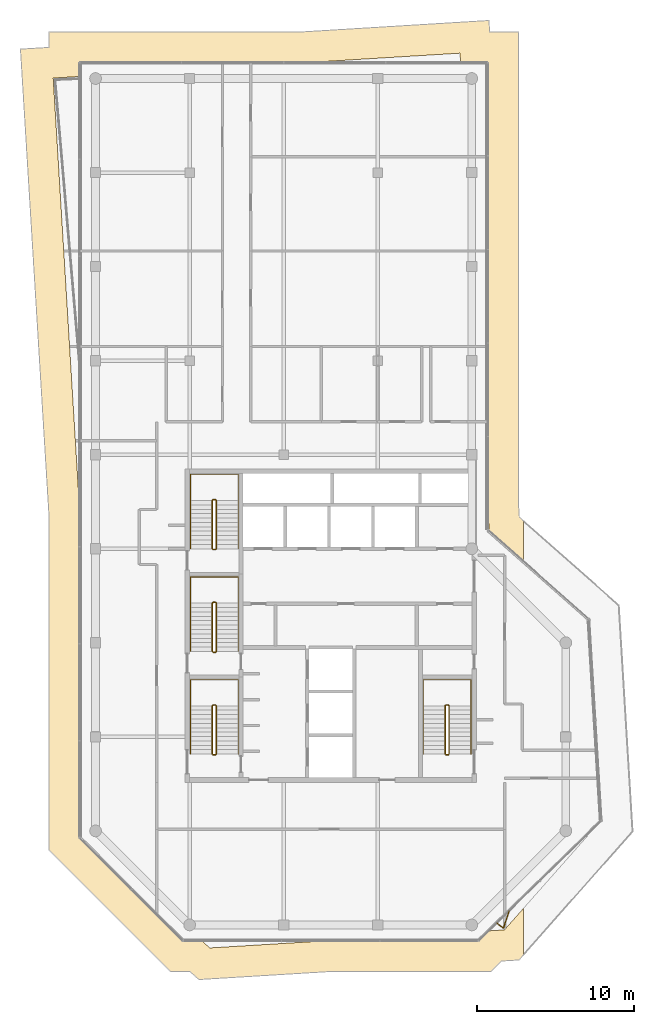
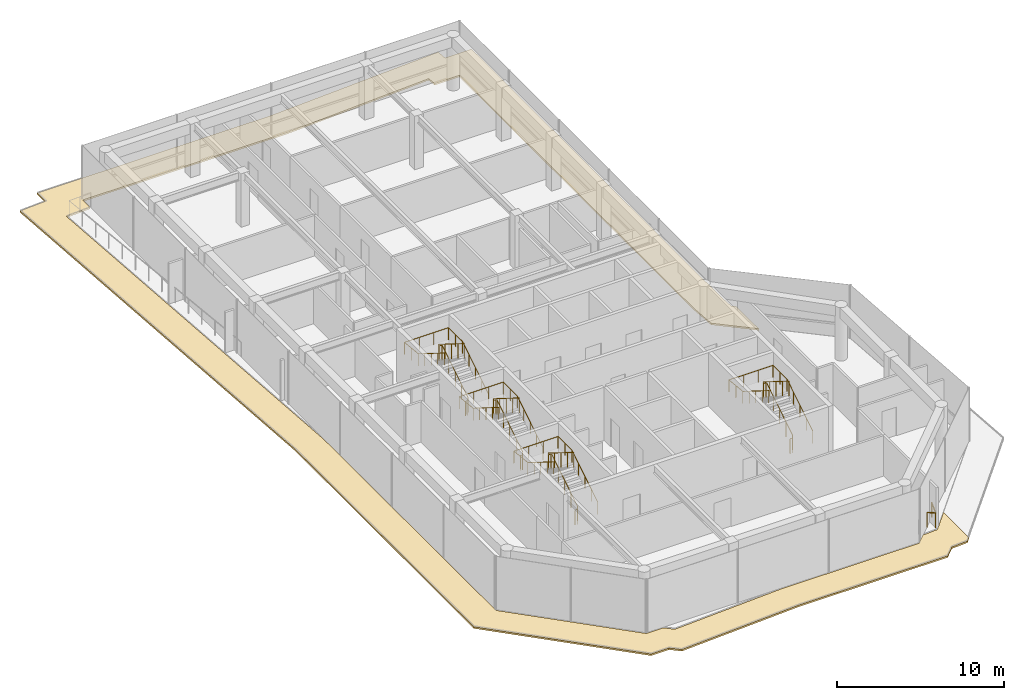
# One storey, part 21 of 22: 9 railings, 1 covering.
"""IFC4 building model written with IfcOpenShell, lengths in metres."""

from ifc_helpers import new_model, si_unit, direction, frame, origin, origin_2d, place, context, subcontext, project, spatial, polyline, circle, outline, extrude, material, layer, layer_set, type_object, element, save


model = new_model("IFC4")

# Units and contexts
model_context = context("Model", 3, precision=1e-05, world=origin(), true_north=direction((0.0, 1.0)))
body_context = subcontext(model_context, "Body", "Model", "MODEL_VIEW")
ifc_project = project(units=[si_unit("LENGTHUNIT", "METRE"), si_unit("AREAUNIT", "SQUARE_METRE"), si_unit("VOLUMEUNIT", "CUBIC_METRE"), si_unit("PLANEANGLEUNIT", "RADIAN"), si_unit("MASSUNIT", "GRAM", prefix="KILO")], contexts=[model_context])

# Site, building, storey
site_placement = place(None, origin())
site = spatial("IfcSite", under=ifc_project, at=site_placement, CompositionType="ELEMENT")
building_placement = place(site_placement, origin())
building = spatial("IfcBuilding", under=site, at=building_placement, Name="Welwitschia Terrace Campus", CompositionType="ELEMENT")
storey_placement = place(building_placement, frame((0.0, 0.0, 318.800048828125)))
storey = spatial("IfcBuildingStorey", under=building, at=storey_placement, Name="L71", CompositionType="ELEMENT", Elevation=318.800048828125)

# Railings
ifc_material_1 = material(Name="Stainless steel grade 316", Category="steel")
railing_type_1 = type_object("IfcRailingType", Name="Guard 1100", PredefinedType="GUARDRAIL", material=ifc_material_1)
railing_1_placement = place(storey_placement, frame((26.377197265625, -3.123779296875, 0.0)))
element("IfcRailing", 1, at=railing_1_placement, inside=storey, type_object=railing_type_1, Name="Guard floor edge L71.1", PredefinedType="GUARDRAIL", context=body_context, shape_type="SweptSolid", body=[
    extrude(circle(Radius=0.02392578125, at=origin_2d()), frame((0.0, 0.0, 1.076171875), z_axis=(-0.311566627196, -0.950224308686, 0.0), x_axis=(0.950224308686, -0.311566627196, 0.0)), (0.0, 0.0, 1.0), 1.13232421875),
    extrude(circle(Radius=0.02392578125, at=origin_2d()), frame((-0.352783203125, -1.075927734375, 1.076171875), z_axis=(-0.804128254295, 0.59445584415, 0.0), x_axis=(-0.59445584415, -0.804128254295, 0.0)), (0.0, 0.0, 1.0), 0.52978515625),
    extrude(circle(Radius=0.02099609375, at=origin_2d()), origin(), (0.0, 0.0, 1.0), 1.052001953125),
    extrude(circle(Radius=0.02099609375, at=origin_2d()), frame((-0.352783203125, -1.075927734375, 0.0)), (0.0, 0.0, 1.0), 1.052001953125),
    extrude(circle(Radius=0.02099609375, at=origin_2d()), frame((-0.77880859375, -0.760986328125, 0.0)), (0.0, 0.0, 1.0), 1.052001953125),
])
ifc_material_2 = material(Name="Steel S355", Category="steel")
railing_type_2 = type_object("IfcRailingType", Name="Stair guard 1100", PredefinedType="GUARDRAIL", material=ifc_material_2)
railing_2_placement = place(storey_placement, frame((7.5, 6.85009765625, 0.0)))
element("IfcRailing", 2, at=railing_2_placement, inside=storey, type_object=railing_type_2, Name="L71 S1 stair guard", PredefinedType="GUARDRAIL", context=body_context, shape_type="SweptSolid", body=[
    extrude(circle(Radius=0.02392578125, at=origin_2d()), frame((0.0, 0.0, 1.076171875), z_axis=(1.0, 0.0, 0.0), x_axis=(0.0, 1.0, 0.0)), (0.0, 0.0, 1.0), 0.14990234375),
    extrude(circle(Radius=0.02392578125, at=origin_2d()), frame((0.14990234375, 0.0, 1.076171875), z_axis=(0.265155923931, 0.263862480399, 0.927399011991), x_axis=(-0.705375805398, 0.708833529934, 0.0)), (0.0, 0.0, 1.0), 0.188720703125),
    extrude(circle(Radius=0.02392578125, at=origin_2d()), frame((0.199951171875, 0.0498046875, 1.2509765625), z_axis=(0.0, 0.848028513186, 0.529950602248), x_axis=(-1.0, 0.0, 0.0)), (0.0, 0.0, 1.0), 3.632080078125),
    extrude(circle(Radius=0.02392578125, at=origin_2d()), frame((0.199951171875, 3.1298828125, 3.17578125), z_axis=(-0.707106781187, 0.707106781187, 0.0), x_axis=(-0.707106781187, -0.707106781187, 0.0)), (0.0, 0.0, 1.0), 0.07080078125),
    extrude(circle(Radius=0.02392578125, at=origin_2d()), frame((0.14990234375, 3.179931640625, 3.17578125), z_axis=(-1.0, 0.0, 0.0), x_axis=(0.0, -1.0, 0.0)), (0.0, 0.0, 1.0), 0.14990234375),
    extrude(circle(Radius=0.02392578125, at=origin_2d()), frame((0.0, 3.179931640625, 3.17578125), z_axis=(-0.265065253269, -0.265065253269, 0.927081885822), x_axis=(0.707106781187, -0.707106781187, 0.0)), (0.0, 0.0, 1.0), 0.188720703125),
    extrude(circle(Radius=0.02392578125, at=origin_2d()), frame((-0.050048828125, 3.1298828125, 3.35107421875), z_axis=(0.0, -0.847998304005, 0.529998940003), x_axis=(1.0, 0.0, 0.0)), (0.0, 0.0, 1.0), 3.632080078125),
    extrude(circle(Radius=0.02099609375, at=origin_2d()), origin(), (0.0, 0.0, 1.0), 1.052001953125),
    extrude(circle(Radius=0.02099609375, at=origin_2d()), frame((0.14990234375, 0.0, 0.0)), (0.0, 0.0, 1.0), 1.052001953125),
    extrude(circle(Radius=0.02099609375, at=origin_2d()), frame((0.199951171875, 0.0498046875, 0.175048828125)), (0.0, 0.0, 1.0), 1.052001953125),
    extrude(circle(Radius=0.02099609375, at=origin_2d()), frame((0.199951171875, 0.81982421875, 0.65625)), (0.0, 0.0, 1.0), 1.052001953125),
    extrude(circle(Radius=0.02099609375, at=origin_2d()), frame((0.199951171875, 1.58984375, 1.137451171875)), (0.0, 0.0, 1.0), 1.052001953125),
    extrude(circle(Radius=0.02099609375, at=origin_2d()), frame((0.199951171875, 2.35986328125, 1.61865234375)), (0.0, 0.0, 1.0), 1.052001953125),
    extrude(circle(Radius=0.02099609375, at=origin_2d()), frame((0.199951171875, 3.1298828125, 2.099853515625)), (0.0, 0.0, 1.0), 1.052001953125),
    extrude(circle(Radius=0.02099609375, at=origin_2d()), frame((0.14990234375, 3.179931640625, 2.099853515625)), (0.0, 0.0, 1.0), 1.052001953125),
    extrude(circle(Radius=0.02099609375, at=origin_2d()), frame((0.0, 3.179931640625, 2.099853515625)), (0.0, 0.0, 1.0), 1.052001953125),
    extrude(circle(Radius=0.02099609375, at=origin_2d()), frame((-0.050048828125, 3.1298828125, 2.27490234375)), (0.0, 0.0, 1.0), 1.052001953125),
    extrude(circle(Radius=0.02099609375, at=origin_2d()), frame((-0.050048828125, 2.35986328125, 2.756103515625)), (0.0, 0.0, 1.0), 1.052001953125),
    extrude(circle(Radius=0.02099609375, at=origin_2d()), frame((-0.050048828125, 1.58984375, 3.2373046875)), (0.0, 0.0, 1.0), 1.052001953125),
    extrude(circle(Radius=0.02099609375, at=origin_2d()), frame((-0.050048828125, 0.81982421875, 3.71875)), (0.0, 0.0, 1.0), 1.052001953125),
    extrude(circle(Radius=0.02099609375, at=origin_2d()), frame((-0.050048828125, 0.0498046875, 4.199951171875)), (0.0, 0.0, 1.0), 1.052001953125),
])
railing_3_placement = place(storey_placement, frame((7.5, 13.39990234375, 0.0)))
element("IfcRailing", 3, at=railing_3_placement, inside=storey, type_object=railing_type_2, Name="L71 S3 stair guard", PredefinedType="GUARDRAIL", context=body_context, shape_type="SweptSolid", body=[
    extrude(circle(Radius=0.02392578125, at=origin_2d()), frame((0.0, 0.0, 1.076171875), z_axis=(1.0, 0.0, 0.0), x_axis=(0.0, 1.0, 0.0)), (0.0, 0.0, 1.0), 0.14990234375),
    extrude(circle(Radius=0.02392578125, at=origin_2d()), frame((0.14990234375, 0.0, 1.076171875), z_axis=(0.265065253269, 0.265065253269, 0.927081885822), x_axis=(-0.707106781187, 0.707106781187, 0.0)), (0.0, 0.0, 1.0), 0.188720703125),
    extrude(circle(Radius=0.02392578125, at=origin_2d()), frame((0.199951171875, 0.050048828125, 1.2509765625), z_axis=(0.0, 0.848028513186, 0.529950602248), x_axis=(-1.0, 0.0, 0.0)), (0.0, 0.0, 1.0), 3.632080078125),
    extrude(circle(Radius=0.02392578125, at=origin_2d()), frame((0.199951171875, 3.130126953125, 3.17578125), z_axis=(-0.707106781187, 0.707106781187, 0.0), x_axis=(-0.707106781187, -0.707106781187, 0.0)), (0.0, 0.0, 1.0), 0.07080078125),
    extrude(circle(Radius=0.02392578125, at=origin_2d()), frame((0.14990234375, 3.18017578125, 3.17578125), z_axis=(-1.0, 0.0, 0.0), x_axis=(0.0, -1.0, 0.0)), (0.0, 0.0, 1.0), 0.14990234375),
    extrude(circle(Radius=0.02392578125, at=origin_2d()), frame((0.0, 3.18017578125, 3.17578125), z_axis=(-0.265065253269, -0.265065253269, 0.927081885822), x_axis=(0.707106781187, -0.707106781187, 0.0)), (0.0, 0.0, 1.0), 0.188720703125),
    extrude(circle(Radius=0.02392578125, at=origin_2d()), frame((-0.050048828125, 3.130126953125, 3.35107421875), z_axis=(0.0, -0.847998304005, 0.529998940003), x_axis=(1.0, 0.0, 0.0)), (0.0, 0.0, 1.0), 3.632080078125),
    extrude(circle(Radius=0.02099609375, at=origin_2d()), origin(), (0.0, 0.0, 1.0), 1.052001953125),
    extrude(circle(Radius=0.02099609375, at=origin_2d()), frame((0.14990234375, 0.0, 0.0)), (0.0, 0.0, 1.0), 1.052001953125),
    extrude(circle(Radius=0.02099609375, at=origin_2d()), frame((0.199951171875, 0.050048828125, 0.175048828125)), (0.0, 0.0, 1.0), 1.052001953125),
    extrude(circle(Radius=0.02099609375, at=origin_2d()), frame((0.199951171875, 0.820068359375, 0.65625)), (0.0, 0.0, 1.0), 1.052001953125),
    extrude(circle(Radius=0.02099609375, at=origin_2d()), frame((0.199951171875, 1.590087890625, 1.137451171875)), (0.0, 0.0, 1.0), 1.052001953125),
    extrude(circle(Radius=0.02099609375, at=origin_2d()), frame((0.199951171875, 2.360107421875, 1.61865234375)), (0.0, 0.0, 1.0), 1.052001953125),
    extrude(circle(Radius=0.02099609375, at=origin_2d()), frame((0.199951171875, 3.130126953125, 2.099853515625)), (0.0, 0.0, 1.0), 1.052001953125),
    extrude(circle(Radius=0.02099609375, at=origin_2d()), frame((0.14990234375, 3.18017578125, 2.099853515625)), (0.0, 0.0, 1.0), 1.052001953125),
    extrude(circle(Radius=0.02099609375, at=origin_2d()), frame((0.0, 3.18017578125, 2.099853515625)), (0.0, 0.0, 1.0), 1.052001953125),
    extrude(circle(Radius=0.02099609375, at=origin_2d()), frame((-0.050048828125, 3.130126953125, 2.27490234375)), (0.0, 0.0, 1.0), 1.052001953125),
    extrude(circle(Radius=0.02099609375, at=origin_2d()), frame((-0.050048828125, 2.360107421875, 2.756103515625)), (0.0, 0.0, 1.0), 1.052001953125),
    extrude(circle(Radius=0.02099609375, at=origin_2d()), frame((-0.050048828125, 1.590087890625, 3.2373046875)), (0.0, 0.0, 1.0), 1.052001953125),
    extrude(circle(Radius=0.02099609375, at=origin_2d()), frame((-0.050048828125, 0.820068359375, 3.71875)), (0.0, 0.0, 1.0), 1.052001953125),
    extrude(circle(Radius=0.02099609375, at=origin_2d()), frame((-0.050048828125, 0.050048828125, 4.199951171875)), (0.0, 0.0, 1.0), 1.052001953125),
])
railing_4_placement = place(storey_placement, frame((7.5, 19.949951171875, 0.0)))
element("IfcRailing", 4, at=railing_4_placement, inside=storey, type_object=railing_type_2, Name="L71 S4 stair guard", PredefinedType="GUARDRAIL", context=body_context, shape_type="SweptSolid", body=[
    extrude(circle(Radius=0.02392578125, at=origin_2d()), frame((0.0, 0.0, 1.076171875), z_axis=(1.0, 0.0, 0.0), x_axis=(0.0, 1.0, 0.0)), (0.0, 0.0, 1.0), 0.14990234375),
    extrude(circle(Radius=0.02392578125, at=origin_2d()), frame((0.14990234375, 0.0, 1.076171875), z_axis=(0.265065253269, 0.265065253269, 0.927081885822), x_axis=(-0.707106781187, 0.707106781187, 0.0)), (0.0, 0.0, 1.0), 0.188720703125),
    extrude(circle(Radius=0.02392578125, at=origin_2d()), frame((0.199951171875, 0.050048828125, 1.2509765625), z_axis=(0.0, 0.848028513186, 0.529950602248), x_axis=(-1.0, 0.0, 0.0)), (0.0, 0.0, 1.0), 3.632080078125),
    extrude(circle(Radius=0.02392578125, at=origin_2d()), frame((0.199951171875, 3.130126953125, 3.17578125), z_axis=(-0.708833529934, 0.705375805398, 0.0), x_axis=(-0.705375805398, -0.708833529934, 0.0)), (0.0, 0.0, 1.0), 0.070556640625),
    extrude(circle(Radius=0.02392578125, at=origin_2d()), frame((0.14990234375, 3.179931640625, 3.17578125), z_axis=(-1.0, 0.0, 0.0), x_axis=(0.0, -1.0, 0.0)), (0.0, 0.0, 1.0), 0.14990234375),
    extrude(circle(Radius=0.02392578125, at=origin_2d()), frame((0.0, 3.179931640625, 3.17578125), z_axis=(-0.265155923931, -0.263862480399, 0.927399011991), x_axis=(0.705375805398, -0.708833529934, 0.0)), (0.0, 0.0, 1.0), 0.188720703125),
    extrude(circle(Radius=0.02392578125, at=origin_2d()), frame((-0.050048828125, 3.130126953125, 3.35107421875), z_axis=(0.0, -0.847998304005, 0.529998940003), x_axis=(1.0, 0.0, 0.0)), (0.0, 0.0, 1.0), 3.632080078125),
    extrude(circle(Radius=0.02099609375, at=origin_2d()), origin(), (0.0, 0.0, 1.0), 1.052001953125),
    extrude(circle(Radius=0.02099609375, at=origin_2d()), frame((0.14990234375, 0.0, 0.0)), (0.0, 0.0, 1.0), 1.052001953125),
    extrude(circle(Radius=0.02099609375, at=origin_2d()), frame((0.199951171875, 0.050048828125, 0.175048828125)), (0.0, 0.0, 1.0), 1.052001953125),
    extrude(circle(Radius=0.02099609375, at=origin_2d()), frame((0.199951171875, 0.820068359375, 0.65625)), (0.0, 0.0, 1.0), 1.052001953125),
    extrude(circle(Radius=0.02099609375, at=origin_2d()), frame((0.199951171875, 1.590087890625, 1.137451171875)), (0.0, 0.0, 1.0), 1.052001953125),
    extrude(circle(Radius=0.02099609375, at=origin_2d()), frame((0.199951171875, 2.360107421875, 1.61865234375)), (0.0, 0.0, 1.0), 1.052001953125),
    extrude(circle(Radius=0.02099609375, at=origin_2d()), frame((0.199951171875, 3.130126953125, 2.099853515625)), (0.0, 0.0, 1.0), 1.052001953125),
    extrude(circle(Radius=0.02099609375, at=origin_2d()), frame((0.14990234375, 3.179931640625, 2.099853515625)), (0.0, 0.0, 1.0), 1.052001953125),
    extrude(circle(Radius=0.02099609375, at=origin_2d()), frame((0.0, 3.179931640625, 2.099853515625)), (0.0, 0.0, 1.0), 1.052001953125),
    extrude(circle(Radius=0.02099609375, at=origin_2d()), frame((-0.050048828125, 3.130126953125, 2.27490234375)), (0.0, 0.0, 1.0), 1.052001953125),
    extrude(circle(Radius=0.02099609375, at=origin_2d()), frame((-0.050048828125, 2.360107421875, 2.756103515625)), (0.0, 0.0, 1.0), 1.052001953125),
    extrude(circle(Radius=0.02099609375, at=origin_2d()), frame((-0.050048828125, 1.590087890625, 3.2373046875)), (0.0, 0.0, 1.0), 1.052001953125),
    extrude(circle(Radius=0.02099609375, at=origin_2d()), frame((-0.050048828125, 0.820068359375, 3.71875)), (0.0, 0.0, 1.0), 1.052001953125),
    extrude(circle(Radius=0.02099609375, at=origin_2d()), frame((-0.050048828125, 0.050048828125, 4.199951171875)), (0.0, 0.0, 1.0), 1.052001953125),
])
railing_5_placement = place(storey_placement, frame((22.35009765625, 6.85009765625, 0.0)))
element("IfcRailing", 5, at=railing_5_placement, inside=storey, type_object=railing_type_2, Name="L71 S2 stair guard", PredefinedType="GUARDRAIL", context=body_context, shape_type="SweptSolid", body=[
    extrude(circle(Radius=0.02392578125, at=origin_2d()), frame((0.0, 0.0, 1.076171875), z_axis=(1.0, 0.0, 0.0), x_axis=(0.0, 1.0, 0.0)), (0.0, 0.0, 1.0), 0.14990234375),
    extrude(circle(Radius=0.02392578125, at=origin_2d()), frame((0.14990234375, 0.0, 1.076171875), z_axis=(0.265155923931, 0.263862480399, 0.927399011991), x_axis=(-0.705375805398, 0.708833529934, 0.0)), (0.0, 0.0, 1.0), 0.188720703125),
    extrude(circle(Radius=0.02392578125, at=origin_2d()), frame((0.199951171875, 0.0498046875, 1.2509765625), z_axis=(0.0, 0.848028513186, 0.529950602248), x_axis=(-1.0, 0.0, 0.0)), (0.0, 0.0, 1.0), 3.632080078125),
    extrude(circle(Radius=0.02392578125, at=origin_2d()), frame((0.199951171875, 3.1298828125, 3.17578125), z_axis=(-0.707106781187, 0.707106781187, 0.0), x_axis=(-0.707106781187, -0.707106781187, 0.0)), (0.0, 0.0, 1.0), 0.07080078125),
    extrude(circle(Radius=0.02392578125, at=origin_2d()), frame((0.14990234375, 3.179931640625, 3.17578125), z_axis=(-1.0, 0.0, 0.0), x_axis=(0.0, -1.0, 0.0)), (0.0, 0.0, 1.0), 0.14990234375),
    extrude(circle(Radius=0.02392578125, at=origin_2d()), frame((0.0, 3.179931640625, 3.17578125), z_axis=(-0.265065253269, -0.265065253269, 0.927081885822), x_axis=(0.707106781187, -0.707106781187, 0.0)), (0.0, 0.0, 1.0), 0.188720703125),
    extrude(circle(Radius=0.02392578125, at=origin_2d()), frame((-0.050048828125, 3.1298828125, 3.35107421875), z_axis=(0.0, -0.847998304005, 0.529998940003), x_axis=(1.0, 0.0, 0.0)), (0.0, 0.0, 1.0), 3.632080078125),
    extrude(circle(Radius=0.02099609375, at=origin_2d()), origin(), (0.0, 0.0, 1.0), 1.052001953125),
    extrude(circle(Radius=0.02099609375, at=origin_2d()), frame((0.14990234375, 0.0, 0.0)), (0.0, 0.0, 1.0), 1.052001953125),
    extrude(circle(Radius=0.02099609375, at=origin_2d()), frame((0.199951171875, 0.0498046875, 0.175048828125)), (0.0, 0.0, 1.0), 1.052001953125),
    extrude(circle(Radius=0.02099609375, at=origin_2d()), frame((0.199951171875, 0.81982421875, 0.65625)), (0.0, 0.0, 1.0), 1.052001953125),
    extrude(circle(Radius=0.02099609375, at=origin_2d()), frame((0.199951171875, 1.58984375, 1.137451171875)), (0.0, 0.0, 1.0), 1.052001953125),
    extrude(circle(Radius=0.02099609375, at=origin_2d()), frame((0.199951171875, 2.35986328125, 1.61865234375)), (0.0, 0.0, 1.0), 1.052001953125),
    extrude(circle(Radius=0.02099609375, at=origin_2d()), frame((0.199951171875, 3.1298828125, 2.099853515625)), (0.0, 0.0, 1.0), 1.052001953125),
    extrude(circle(Radius=0.02099609375, at=origin_2d()), frame((0.14990234375, 3.179931640625, 2.099853515625)), (0.0, 0.0, 1.0), 1.052001953125),
    extrude(circle(Radius=0.02099609375, at=origin_2d()), frame((0.0, 3.179931640625, 2.099853515625)), (0.0, 0.0, 1.0), 1.052001953125),
    extrude(circle(Radius=0.02099609375, at=origin_2d()), frame((-0.050048828125, 3.1298828125, 2.27490234375)), (0.0, 0.0, 1.0), 1.052001953125),
    extrude(circle(Radius=0.02099609375, at=origin_2d()), frame((-0.050048828125, 2.35986328125, 2.756103515625)), (0.0, 0.0, 1.0), 1.052001953125),
    extrude(circle(Radius=0.02099609375, at=origin_2d()), frame((-0.050048828125, 1.58984375, 3.2373046875)), (0.0, 0.0, 1.0), 1.052001953125),
    extrude(circle(Radius=0.02099609375, at=origin_2d()), frame((-0.050048828125, 0.81982421875, 3.71875)), (0.0, 0.0, 1.0), 1.052001953125),
    extrude(circle(Radius=0.02099609375, at=origin_2d()), frame((-0.050048828125, 0.0498046875, 4.199951171875)), (0.0, 0.0, 1.0), 1.052001953125),
])
ifc_material_3 = material(Name="Steel S355", Category="steel")
railing_type_3 = type_object("IfcRailingType", Name="Stair handrail 900", PredefinedType="HANDRAIL", material=ifc_material_3)
railing_6_placement = place(storey_placement, frame((9.10009765625, 6.89990234375, 0.175048828125)))
element("IfcRailing", 6, at=railing_6_placement, inside=storey, type_object=railing_type_3, Name="L71 S1 stair handrail", PredefinedType="HANDRAIL", context=body_context, shape_type="SweptSolid", body=[
    extrude(circle(Radius=0.02392578125, at=origin_2d()), frame((0.0, 0.0, 0.8759765625), z_axis=(0.0, 0.848028513186, 0.529950602248), x_axis=(-1.0, 0.0, 0.0)), (0.0, 0.0, 1.0), 3.632080078125),
    extrude(circle(Radius=0.02392578125, at=origin_2d()), frame((0.0, 3.080078125, 2.80078125), z_axis=(0.0, 1.0, 0.0), x_axis=(-1.0, 0.0, 0.0)), (0.0, 0.0, 1.0), 1.669921875),
    extrude(circle(Radius=0.02392578125, at=origin_2d()), frame((0.0, 4.75, 2.80078125), z_axis=(-1.0, 0.0, 0.0), x_axis=(0.0, -1.0, 0.0)), (0.0, 0.0, 1.0), 3.050048828125),
    extrude(circle(Radius=0.02392578125, at=origin_2d()), frame((-3.050048828125, 4.75, 2.80078125), z_axis=(0.0, -0.99455077262, 0.104253348533), x_axis=(1.0, 0.0, 0.0)), (0.0, 0.0, 1.0), 1.678955078125),
    extrude(circle(Radius=0.02392578125, at=origin_2d()), frame((-3.050048828125, 3.080078125, 2.9755859375), z_axis=(0.0, -0.847998304005, 0.529998940003), x_axis=(1.0, 0.0, 0.0)), (0.0, 0.0, 1.0), 3.632080078125),
    extrude(circle(Radius=0.02099609375, at=origin_2d()), origin(), (0.0, 0.0, 1.0), 0.851806640625),
    extrude(circle(Radius=0.02099609375, at=origin_2d()), frame((0.0, 0.77001953125, 0.481201171875)), (0.0, 0.0, 1.0), 0.851806640625),
    extrude(circle(Radius=0.02099609375, at=origin_2d()), frame((0.0, 1.5400390625, 0.96240234375)), (0.0, 0.0, 1.0), 0.851806640625),
    extrude(circle(Radius=0.02099609375, at=origin_2d()), frame((0.0, 2.31005859375, 1.443603515625)), (0.0, 0.0, 1.0), 0.851806640625),
    extrude(circle(Radius=0.02099609375, at=origin_2d()), frame((0.0, 3.080078125, 1.9248046875)), (0.0, 0.0, 1.0), 0.851806640625),
    extrude(circle(Radius=0.02099609375, at=origin_2d()), frame((0.0, 3.9150390625, 1.9248046875)), (0.0, 0.0, 1.0), 0.851806640625),
    extrude(circle(Radius=0.02099609375, at=origin_2d()), frame((0.0, 4.75, 1.9248046875)), (0.0, 0.0, 1.0), 0.851806640625),
    extrude(circle(Radius=0.02099609375, at=origin_2d()), frame((-1.0166015625, 4.75, 1.9248046875)), (0.0, 0.0, 1.0), 0.851806640625),
    extrude(circle(Radius=0.02099609375, at=origin_2d()), frame((-2.033447265625, 4.75, 1.9248046875)), (0.0, 0.0, 1.0), 0.851806640625),
    extrude(circle(Radius=0.02099609375, at=origin_2d()), frame((-3.050048828125, 4.75, 1.9248046875)), (0.0, 0.0, 1.0), 0.851806640625),
    extrude(circle(Radius=0.02099609375, at=origin_2d()), frame((-3.050048828125, 3.9150390625, 2.01220703125)), (0.0, 0.0, 1.0), 0.851806640625),
    extrude(circle(Radius=0.02099609375, at=origin_2d()), frame((-3.050048828125, 3.080078125, 2.099853515625)), (0.0, 0.0, 1.0), 0.851806640625),
    extrude(circle(Radius=0.02099609375, at=origin_2d()), frame((-3.050048828125, 2.31005859375, 2.5810546875)), (0.0, 0.0, 1.0), 0.851806640625),
    extrude(circle(Radius=0.02099609375, at=origin_2d()), frame((-3.050048828125, 1.5400390625, 3.0625)), (0.0, 0.0, 1.0), 0.851806640625),
    extrude(circle(Radius=0.02099609375, at=origin_2d()), frame((-3.050048828125, 0.77001953125, 3.543701171875)), (0.0, 0.0, 1.0), 0.851806640625),
    extrude(circle(Radius=0.02099609375, at=origin_2d()), frame((-3.050048828125, 0.0, 4.02490234375)), (0.0, 0.0, 1.0), 0.851806640625),
])
railing_7_placement = place(storey_placement, frame((9.10009765625, 13.449951171875, 0.175048828125)))
element("IfcRailing", 7, at=railing_7_placement, inside=storey, type_object=railing_type_3, Name="L71 S3 stair handrail", PredefinedType="HANDRAIL", context=body_context, shape_type="SweptSolid", body=[
    extrude(circle(Radius=0.02392578125, at=origin_2d()), frame((0.0, 0.0, 0.8759765625), z_axis=(0.0, 0.848028513186, 0.529950602248), x_axis=(-1.0, 0.0, 0.0)), (0.0, 0.0, 1.0), 3.632080078125),
    extrude(circle(Radius=0.02392578125, at=origin_2d()), frame((0.0, 3.080078125, 2.80078125), z_axis=(0.0, 1.0, 0.0), x_axis=(-1.0, 0.0, 0.0)), (0.0, 0.0, 1.0), 1.669921875),
    extrude(circle(Radius=0.02392578125, at=origin_2d()), frame((0.0, 4.75, 2.80078125), z_axis=(-1.0, 0.0, 0.0), x_axis=(0.0, -1.0, 0.0)), (0.0, 0.0, 1.0), 3.050048828125),
    extrude(circle(Radius=0.02392578125, at=origin_2d()), frame((-3.050048828125, 4.75, 2.80078125), z_axis=(0.0, -0.99455077262, 0.104253348533), x_axis=(1.0, 0.0, 0.0)), (0.0, 0.0, 1.0), 1.678955078125),
    extrude(circle(Radius=0.02392578125, at=origin_2d()), frame((-3.050048828125, 3.080078125, 2.9755859375), z_axis=(0.0, -0.847998304005, 0.529998940003), x_axis=(1.0, 0.0, 0.0)), (0.0, 0.0, 1.0), 3.632080078125),
    extrude(circle(Radius=0.02099609375, at=origin_2d()), origin(), (0.0, 0.0, 1.0), 0.851806640625),
    extrude(circle(Radius=0.02099609375, at=origin_2d()), frame((0.0, 0.77001953125, 0.481201171875)), (0.0, 0.0, 1.0), 0.851806640625),
    extrude(circle(Radius=0.02099609375, at=origin_2d()), frame((0.0, 1.5400390625, 0.96240234375)), (0.0, 0.0, 1.0), 0.851806640625),
    extrude(circle(Radius=0.02099609375, at=origin_2d()), frame((0.0, 2.31005859375, 1.443603515625)), (0.0, 0.0, 1.0), 0.851806640625),
    extrude(circle(Radius=0.02099609375, at=origin_2d()), frame((0.0, 3.080078125, 1.9248046875)), (0.0, 0.0, 1.0), 0.851806640625),
    extrude(circle(Radius=0.02099609375, at=origin_2d()), frame((0.0, 3.9150390625, 1.9248046875)), (0.0, 0.0, 1.0), 0.851806640625),
    extrude(circle(Radius=0.02099609375, at=origin_2d()), frame((0.0, 4.75, 1.9248046875)), (0.0, 0.0, 1.0), 0.851806640625),
    extrude(circle(Radius=0.02099609375, at=origin_2d()), frame((-1.0166015625, 4.75, 1.9248046875)), (0.0, 0.0, 1.0), 0.851806640625),
    extrude(circle(Radius=0.02099609375, at=origin_2d()), frame((-2.033447265625, 4.75, 1.9248046875)), (0.0, 0.0, 1.0), 0.851806640625),
    extrude(circle(Radius=0.02099609375, at=origin_2d()), frame((-3.050048828125, 4.75, 1.9248046875)), (0.0, 0.0, 1.0), 0.851806640625),
    extrude(circle(Radius=0.02099609375, at=origin_2d()), frame((-3.050048828125, 3.9150390625, 2.01220703125)), (0.0, 0.0, 1.0), 0.851806640625),
    extrude(circle(Radius=0.02099609375, at=origin_2d()), frame((-3.050048828125, 3.080078125, 2.099853515625)), (0.0, 0.0, 1.0), 0.851806640625),
    extrude(circle(Radius=0.02099609375, at=origin_2d()), frame((-3.050048828125, 2.31005859375, 2.5810546875)), (0.0, 0.0, 1.0), 0.851806640625),
    extrude(circle(Radius=0.02099609375, at=origin_2d()), frame((-3.050048828125, 1.5400390625, 3.0625)), (0.0, 0.0, 1.0), 0.851806640625),
    extrude(circle(Radius=0.02099609375, at=origin_2d()), frame((-3.050048828125, 0.77001953125, 3.543701171875)), (0.0, 0.0, 1.0), 0.851806640625),
    extrude(circle(Radius=0.02099609375, at=origin_2d()), frame((-3.050048828125, 0.0, 4.02490234375)), (0.0, 0.0, 1.0), 0.851806640625),
])
railing_8_placement = place(storey_placement, frame((9.10009765625, 20.0, 0.175048828125)))
element("IfcRailing", 8, at=railing_8_placement, inside=storey, type_object=railing_type_3, Name="L71 S4 stair handrail", PredefinedType="HANDRAIL", context=body_context, shape_type="SweptSolid", body=[
    extrude(circle(Radius=0.02392578125, at=origin_2d()), frame((0.0, 0.0, 0.8759765625), z_axis=(0.0, 0.848028513186, 0.529950602248), x_axis=(-1.0, 0.0, 0.0)), (0.0, 0.0, 1.0), 3.632080078125),
    extrude(circle(Radius=0.02392578125, at=origin_2d()), frame((0.0, 3.080078125, 2.80078125), z_axis=(0.0, 1.0, 0.0), x_axis=(-1.0, 0.0, 0.0)), (0.0, 0.0, 1.0), 1.669921875),
    extrude(circle(Radius=0.02392578125, at=origin_2d()), frame((0.0, 4.75, 2.80078125), z_axis=(-1.0, 0.0, 0.0), x_axis=(0.0, -1.0, 0.0)), (0.0, 0.0, 1.0), 3.050048828125),
    extrude(circle(Radius=0.02392578125, at=origin_2d()), frame((-3.050048828125, 4.75, 2.80078125), z_axis=(0.0, -0.99455077262, 0.104253348533), x_axis=(1.0, 0.0, 0.0)), (0.0, 0.0, 1.0), 1.678955078125),
    extrude(circle(Radius=0.02392578125, at=origin_2d()), frame((-3.050048828125, 3.080078125, 2.9755859375), z_axis=(0.0, -0.847998304005, 0.529998940003), x_axis=(1.0, 0.0, 0.0)), (0.0, 0.0, 1.0), 3.632080078125),
    extrude(circle(Radius=0.02099609375, at=origin_2d()), origin(), (0.0, 0.0, 1.0), 0.851806640625),
    extrude(circle(Radius=0.02099609375, at=origin_2d()), frame((0.0, 0.77001953125, 0.481201171875)), (0.0, 0.0, 1.0), 0.851806640625),
    extrude(circle(Radius=0.02099609375, at=origin_2d()), frame((0.0, 1.5400390625, 0.96240234375)), (0.0, 0.0, 1.0), 0.851806640625),
    extrude(circle(Radius=0.02099609375, at=origin_2d()), frame((0.0, 2.31005859375, 1.443603515625)), (0.0, 0.0, 1.0), 0.851806640625),
    extrude(circle(Radius=0.02099609375, at=origin_2d()), frame((0.0, 3.080078125, 1.9248046875)), (0.0, 0.0, 1.0), 0.851806640625),
    extrude(circle(Radius=0.02099609375, at=origin_2d()), frame((0.0, 3.9150390625, 1.9248046875)), (0.0, 0.0, 1.0), 0.851806640625),
    extrude(circle(Radius=0.02099609375, at=origin_2d()), frame((0.0, 4.75, 1.9248046875)), (0.0, 0.0, 1.0), 0.851806640625),
    extrude(circle(Radius=0.02099609375, at=origin_2d()), frame((-1.0166015625, 4.75, 1.9248046875)), (0.0, 0.0, 1.0), 0.851806640625),
    extrude(circle(Radius=0.02099609375, at=origin_2d()), frame((-2.033447265625, 4.75, 1.9248046875)), (0.0, 0.0, 1.0), 0.851806640625),
    extrude(circle(Radius=0.02099609375, at=origin_2d()), frame((-3.050048828125, 4.75, 1.9248046875)), (0.0, 0.0, 1.0), 0.851806640625),
    extrude(circle(Radius=0.02099609375, at=origin_2d()), frame((-3.050048828125, 3.9150390625, 2.01220703125)), (0.0, 0.0, 1.0), 0.851806640625),
    extrude(circle(Radius=0.02099609375, at=origin_2d()), frame((-3.050048828125, 3.080078125, 2.099853515625)), (0.0, 0.0, 1.0), 0.851806640625),
    extrude(circle(Radius=0.02099609375, at=origin_2d()), frame((-3.050048828125, 2.31005859375, 2.5810546875)), (0.0, 0.0, 1.0), 0.851806640625),
    extrude(circle(Radius=0.02099609375, at=origin_2d()), frame((-3.050048828125, 1.5400390625, 3.0625)), (0.0, 0.0, 1.0), 0.851806640625),
    extrude(circle(Radius=0.02099609375, at=origin_2d()), frame((-3.050048828125, 0.77001953125, 3.543701171875)), (0.0, 0.0, 1.0), 0.851806640625),
    extrude(circle(Radius=0.02099609375, at=origin_2d()), frame((-3.050048828125, 0.0, 4.02490234375)), (0.0, 0.0, 1.0), 0.851806640625),
])
railing_9_placement = place(storey_placement, frame((23.949951171875, 6.89990234375, 0.175048828125)))
element("IfcRailing", 9, at=railing_9_placement, inside=storey, type_object=railing_type_3, Name="L71 S2 stair handrail", PredefinedType="HANDRAIL", context=body_context, shape_type="SweptSolid", body=[
    extrude(circle(Radius=0.02392578125, at=origin_2d()), frame((0.0, 0.0, 0.8759765625), z_axis=(0.0, 0.848028513186, 0.529950602248), x_axis=(-1.0, 0.0, 0.0)), (0.0, 0.0, 1.0), 3.632080078125),
    extrude(circle(Radius=0.02392578125, at=origin_2d()), frame((0.0, 3.080078125, 2.80078125), z_axis=(0.0, 1.0, 0.0), x_axis=(-1.0, 0.0, 0.0)), (0.0, 0.0, 1.0), 1.669921875),
    extrude(circle(Radius=0.02392578125, at=origin_2d()), frame((0.0, 4.75, 2.80078125), z_axis=(-1.0, 0.0, 0.0), x_axis=(0.0, -1.0, 0.0)), (0.0, 0.0, 1.0), 3.050048828125),
    extrude(circle(Radius=0.02392578125, at=origin_2d()), frame((-3.050048828125, 4.75, 2.80078125), z_axis=(0.0, -0.99455077262, 0.104253348533), x_axis=(1.0, 0.0, 0.0)), (0.0, 0.0, 1.0), 1.678955078125),
    extrude(circle(Radius=0.02392578125, at=origin_2d()), frame((-3.050048828125, 3.080078125, 2.9755859375), z_axis=(0.0, -0.847998304005, 0.529998940003), x_axis=(1.0, 0.0, 0.0)), (0.0, 0.0, 1.0), 3.632080078125),
    extrude(circle(Radius=0.02099609375, at=origin_2d()), origin(), (0.0, 0.0, 1.0), 0.851806640625),
    extrude(circle(Radius=0.02099609375, at=origin_2d()), frame((0.0, 0.77001953125, 0.481201171875)), (0.0, 0.0, 1.0), 0.851806640625),
    extrude(circle(Radius=0.02099609375, at=origin_2d()), frame((0.0, 1.5400390625, 0.96240234375)), (0.0, 0.0, 1.0), 0.851806640625),
    extrude(circle(Radius=0.02099609375, at=origin_2d()), frame((0.0, 2.31005859375, 1.443603515625)), (0.0, 0.0, 1.0), 0.851806640625),
    extrude(circle(Radius=0.02099609375, at=origin_2d()), frame((0.0, 3.080078125, 1.9248046875)), (0.0, 0.0, 1.0), 0.851806640625),
    extrude(circle(Radius=0.02099609375, at=origin_2d()), frame((0.0, 3.9150390625, 1.9248046875)), (0.0, 0.0, 1.0), 0.851806640625),
    extrude(circle(Radius=0.02099609375, at=origin_2d()), frame((0.0, 4.75, 1.9248046875)), (0.0, 0.0, 1.0), 0.851806640625),
    extrude(circle(Radius=0.02099609375, at=origin_2d()), frame((-1.0166015625, 4.75, 1.9248046875)), (0.0, 0.0, 1.0), 0.851806640625),
    extrude(circle(Radius=0.02099609375, at=origin_2d()), frame((-2.033447265625, 4.75, 1.9248046875)), (0.0, 0.0, 1.0), 0.851806640625),
    extrude(circle(Radius=0.02099609375, at=origin_2d()), frame((-3.050048828125, 4.75, 1.9248046875)), (0.0, 0.0, 1.0), 0.851806640625),
    extrude(circle(Radius=0.02099609375, at=origin_2d()), frame((-3.050048828125, 3.9150390625, 2.01220703125)), (0.0, 0.0, 1.0), 0.851806640625),
    extrude(circle(Radius=0.02099609375, at=origin_2d()), frame((-3.050048828125, 3.080078125, 2.099853515625)), (0.0, 0.0, 1.0), 0.851806640625),
    extrude(circle(Radius=0.02099609375, at=origin_2d()), frame((-3.050048828125, 2.31005859375, 2.5810546875)), (0.0, 0.0, 1.0), 0.851806640625),
    extrude(circle(Radius=0.02099609375, at=origin_2d()), frame((-3.050048828125, 1.5400390625, 3.0625)), (0.0, 0.0, 1.0), 0.851806640625),
    extrude(circle(Radius=0.02099609375, at=origin_2d()), frame((-3.050048828125, 0.77001953125, 3.543701171875)), (0.0, 0.0, 1.0), 0.851806640625),
    extrude(circle(Radius=0.02099609375, at=origin_2d()), frame((-3.050048828125, 0.0, 4.02490234375)), (0.0, 0.0, 1.0), 0.851806640625),
])

# Covering
ifc_material_4 = material(Name="Bronze anodised aluminium", Category="aluminium")
ifc_layer = layer(ifc_material_4, 0.1201171875)
ifc_layer_set = layer_set([ifc_layer], Name="Bronze anodised aluminium")
covering_type = type_object("IfcCoveringType", Name="Sunshade band 2000", PredefinedType="USERDEFINED", material=ifc_layer_set)
covering_placement = place(storey_placement, frame((0.0, 0.0, -0.199951171875)))
element("IfcCovering", 10, at=covering_placement, inside=storey, type_object=covering_type, Name="SUNSHADE L71.SW0", ObjectType="SUNSHADE", PredefinedType="USERDEFINED", context=body_context, shape_type="SweptSolid", body=[
    extrude(outline(polyline([(-3.0, 52.01318359375), (-3.0, 53.0), (13.13427734375, 53.0), (25.12158203125, 53.733154296875), (25.166259765625, 53.0), (27.0, 53.0), (27.0, 23.019775390625), (27.060302734375, 22.034912109375), (27.2958984375, 21.82666015625), (27.2958984375, 19.15625), (25.114501953125, 21.086181640625), (25.0, 22.958740234375), (25.0, 51.0), (23.284912109375, 51.0), (23.247314453125, 51.61474609375), (13.195556640625, 51.0), (-1.0, 51.0), (-1.0, 50.1318359375), (-2.7041015625, 50.027587890625), (-1.0, 22.164306640625), (-1.0, 1.585693359375), (5.585693359375, -5.0), (6.761474609375, -5.0), (7.2880859375, -5.466064453125), (14.906494140625, -5.0), (24.414306640625, -5.0), (25.03369140625, -4.380615234375), (26.081298828125, -4.31640625), (27.2958984375, -2.94384765625), (27.2958984375, -5.962158203125), (27.0302734375, -6.26220703125), (25.912109375, -6.33056640625), (25.24267578125, -7.0), (14.967529296875, -7.0), (6.583251953125, -7.5126953125), (6.003662109375, -7.0), (4.75732421875, -7.0), (-3.0, 0.75732421875), (-3.0, 22.103271484375), (-4.822509765625, 51.901611328125), (-3.0, 52.01318359375)])), origin(), (0.0, 0.0, 1.0), 0.119873046875),
])

save(model, "model.ifc")
